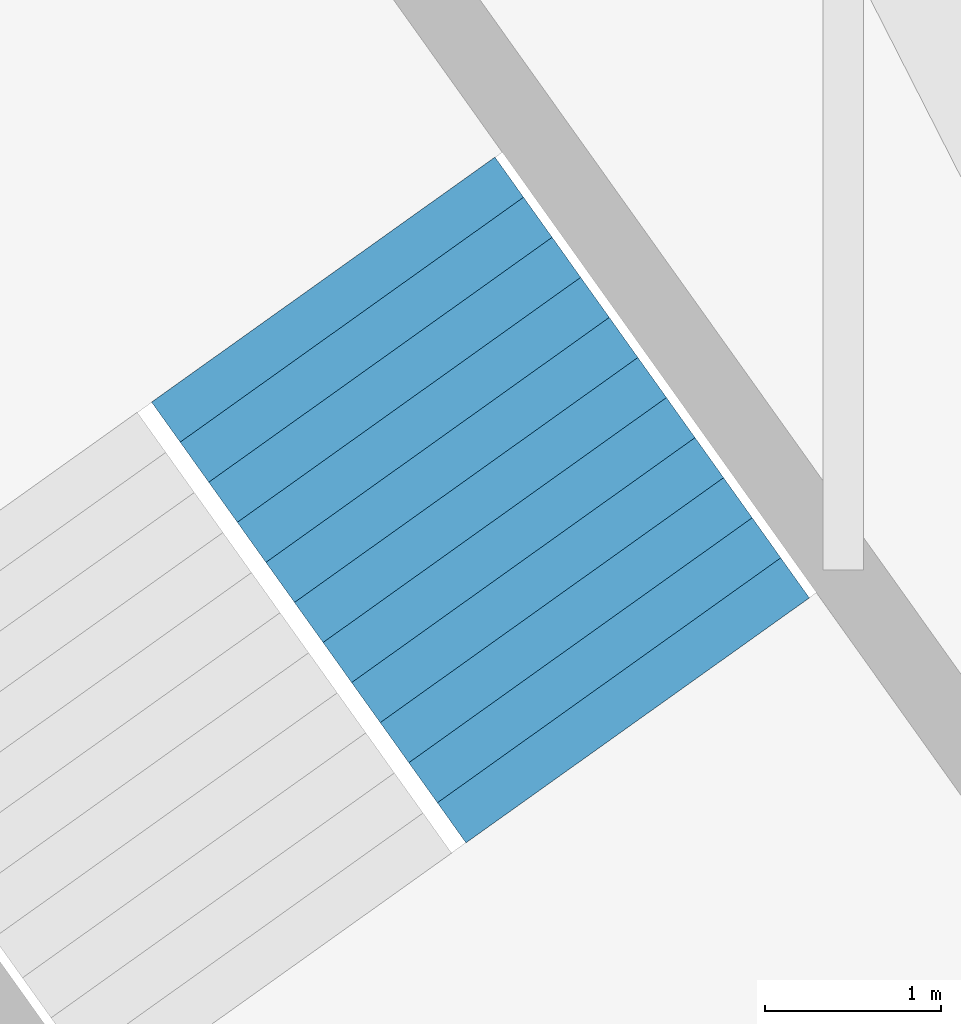
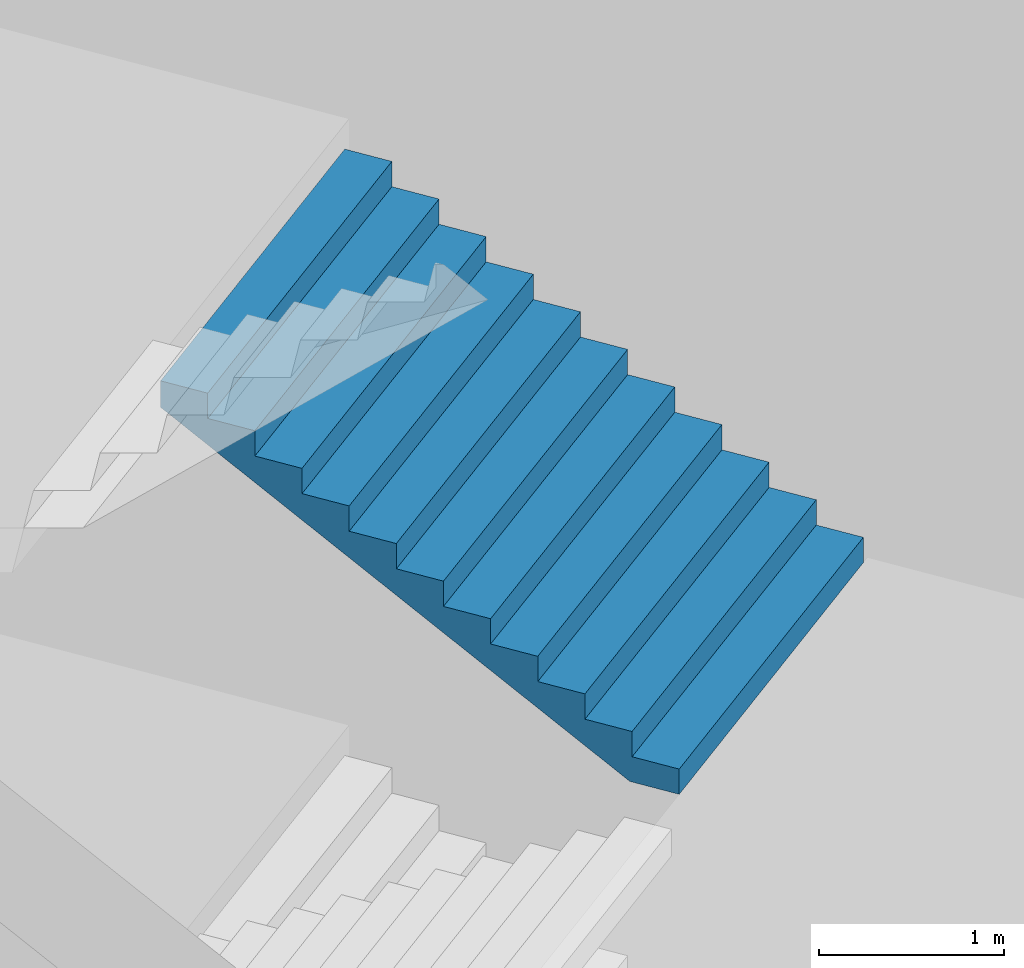
# One storey, part 45 of 74: 1 stair flight, 1 element without a shape of its own.
"""IFC4 building model written with IfcOpenShell, lengths in metres."""

from ifc_helpers import new_model, si_unit, direction, frame, origin, place, context, subcontext, project, spatial, triangles, material, type_object, element, aggregate, save


model = new_model("IFC4")

# Units and contexts
model_context = context("Model", 3, precision=1e-05, world=origin(), true_north=direction((0.0, 1.0)))
body_context = subcontext(model_context, "Body", "Model", "MODEL_VIEW")
ifc_project = project(units=[si_unit("LENGTHUNIT", "METRE"), si_unit("AREAUNIT", "SQUARE_METRE"), si_unit("VOLUMEUNIT", "CUBIC_METRE"), si_unit("PLANEANGLEUNIT", "RADIAN"), si_unit("MASSUNIT", "GRAM", prefix="KILO")], contexts=[model_context])

# Site, building, storey
site_placement = place(None, origin())
site = spatial("IfcSite", under=ifc_project, at=site_placement, CompositionType="ELEMENT")
building_placement = place(site_placement, origin())
building = spatial("IfcBuilding", under=site, at=building_placement, Name="Lantaw Convention Tower", CompositionType="ELEMENT")
storey_placement = place(building_placement, frame((0.0, 0.0, 6.5)))
storey = spatial("IfcBuildingStorey", under=building, at=storey_placement, Name="L01", CompositionType="ELEMENT", Elevation=6.5)

# Stair, stair flight
ifc_material = material(Name="Concrete C35/45", Category="concrete")
stair_type = type_object("IfcStairType", Name="Exit stair 2400 riser 166.67 in 4 flights", PredefinedType="HALF_TURN_STAIR", material=ifc_material)
stair_placement = place(storey_placement, origin())
stair = element("IfcStair", 1, at=stair_placement, inside=storey, type_object=stair_type, Name="Podium exit stair P6 L01", PredefinedType="HALF_TURN_STAIR")
stair_flight_type = type_object("IfcStairFlightType", Name="Stair flight 2400 riser 166.67", PredefinedType="STRAIGHT", material=ifc_material)
stair_flight_placement = place(storey_placement, frame((-16.97021484375, 25.944091796875, 4.0), z_axis=(0.0, 0.0, 1.0), x_axis=(-0.580702955711, 0.814115518356, 0.0)))
stair_flight = element("IfcStairFlight", 2, at=stair_flight_placement, type_object=stair_flight_type, Name="P6 flight 3", NumberOfRisers=12, NumberOfTreads=11, PredefinedType="STRAIGHT", RiserHeight=0.166666667, TreadLength=0.28, context=body_context, shape_type="Tessellation", body=[
    triangles([(0.0, 1.199951171875, 0.0), (0.0, 1.199951171875, 0.166666667), (0.28, 1.199951171875, 0.0), (0.28, 1.199951171875, 0.166666667), (0.28, 1.199951171875, 0.333333334), (0.29307345806906726, 1.199951171875, 0.0), (0.29307345806906726, 1.199951171875, 0.333333334), (0.56, 1.199951171875, 0.15888484670522965), (0.56, 1.199951171875, 0.333333334), (0.56, 1.199951171875, 0.500000001), (0.8400000000000001, 1.199951171875, 0.3255515137052296), (0.8400000000000001, 1.199951171875, 0.500000001), (0.8400000000000001, 1.199951171875, 0.666666668), (1.12, 1.199951171875, 0.4922181807052296), (1.12, 1.199951171875, 0.666666668), (1.12, 1.199951171875, 0.833333335), (1.4000000000000001, 1.199951171875, 0.6588848477052296), (1.4000000000000001, 1.199951171875, 0.833333335), (1.4000000000000001, 1.199951171875, 1.000000002), (1.6800000000000002, 1.199951171875, 0.8255515147052296), (1.6800000000000002, 1.199951171875, 1.000000002), (1.6800000000000002, 1.199951171875, 1.166666669), (1.9600000000000002, 1.199951171875, 0.9922181817052296), (1.9600000000000002, 1.199951171875, 1.166666669), (1.9600000000000002, 1.199951171875, 1.333333336), (2.24, 1.199951171875, 1.1588848487052295), (2.24, 1.199951171875, 1.333333336), (2.24, 1.199951171875, 1.5000000029999998), (2.5200000000000005, 1.199951171875, 1.3255515157052296), (2.5200000000000005, 1.199951171875, 1.5000000029999998), (2.5200000000000005, 1.199951171875, 1.66666667), (2.8000000000000003, 1.199951171875, 1.4922181827052294), (2.8000000000000003, 1.199951171875, 1.66666667), (2.8000000000000003, 1.199951171875, 1.833333337), (3.08, 1.199951171875, 1.6588848497052293), (3.08, 1.199951171875, 1.833333337), (0.0, -1.199951171875, 0.0), (0.0, -1.199951171875, 0.166666667), (0.28, -1.199951171875, 0.0), (0.28, -1.199951171875, 0.166666667), (0.28, -1.199951171875, 0.333333334), (0.29307345806906726, -1.199951171875, 0.0), (0.29307345806906726, -1.199951171875, 0.333333334), (0.56, -1.199951171875, 0.15888484670522965), (0.56, -1.199951171875, 0.333333334), (0.56, -1.199951171875, 0.500000001), (0.8400000000000001, -1.199951171875, 0.3255515137052296), (0.8400000000000001, -1.199951171875, 0.500000001), (0.8400000000000001, -1.199951171875, 0.666666668), (1.12, -1.199951171875, 0.4922181807052296), (1.12, -1.199951171875, 0.666666668), (1.12, -1.199951171875, 0.833333335), (1.4000000000000001, -1.199951171875, 0.6588848477052296), (1.4000000000000001, -1.199951171875, 0.833333335), (1.4000000000000001, -1.199951171875, 1.000000002), (1.6800000000000002, -1.199951171875, 0.8255515147052296), (1.6800000000000002, -1.199951171875, 1.000000002), (1.6800000000000002, -1.199951171875, 1.166666669), (1.9600000000000002, -1.199951171875, 0.9922181817052296), (1.9600000000000002, -1.199951171875, 1.166666669), (1.9600000000000002, -1.199951171875, 1.333333336), (2.24, -1.199951171875, 1.1588848487052295), (2.24, -1.199951171875, 1.333333336), (2.24, -1.199951171875, 1.5000000029999998), (2.5200000000000005, -1.199951171875, 1.3255515157052296), (2.5200000000000005, -1.199951171875, 1.5000000029999998), (2.5200000000000005, -1.199951171875, 1.66666667), (2.8000000000000003, -1.199951171875, 1.4922181827052294), (2.8000000000000003, -1.199951171875, 1.66666667), (2.8000000000000003, -1.199951171875, 1.833333337), (3.08, -1.199951171875, 1.6588848497052293), (3.08, -1.199951171875, 1.833333337), (0.0, 0.239990234375, 0.166666667), (0.0, 0.239990234375, 0.0), (0.0, 0.1199951171875, 0.166666667), (0.0, 0.1199951171875, 0.0), (0.0, 0.0, 0.166666667), (0.0, 0.0, 0.0), (0.0, -0.1199951171875, 0.166666667), (0.0, -0.1199951171875, 0.0), (0.0, -0.239990234375, 0.166666667), (0.0, -0.239990234375, 0.0), (0.28, 0.239990234375, 0.333333334), (0.28, 0.239990234375, 0.166666667), (0.28, 0.1199951171875, 0.333333334), (0.28, 0.1199951171875, 0.166666667), (0.28, 0.0, 0.333333334), (0.28, 0.0, 0.166666667), (0.28, -0.1199951171875, 0.333333334), (0.28, -0.1199951171875, 0.166666667), (0.28, -0.239990234375, 0.333333334), (0.28, -0.239990234375, 0.166666667), (0.56, 0.239990234375, 0.500000001), (0.56, 0.239990234375, 0.333333334), (0.56, 0.1199951171875, 0.500000001), (0.56, 0.1199951171875, 0.333333334), (0.56, 0.0, 0.500000001), (0.56, 0.0, 0.333333334), (0.56, -0.1199951171875, 0.500000001), (0.56, -0.1199951171875, 0.333333334), (0.56, -0.239990234375, 0.500000001), (0.56, -0.239990234375, 0.333333334), (0.8400000000000001, 0.239990234375, 0.666666668), (0.8400000000000001, 0.239990234375, 0.500000001), (0.8400000000000001, 0.1199951171875, 0.666666668), (0.8400000000000001, 0.1199951171875, 0.500000001), (0.8400000000000001, 0.0, 0.666666668), (0.8400000000000001, 0.0, 0.500000001), (0.8400000000000001, -0.1199951171875, 0.666666668), (0.8400000000000001, -0.1199951171875, 0.500000001), (0.8400000000000001, -0.239990234375, 0.666666668), (0.8400000000000001, -0.239990234375, 0.500000001), (1.12, 0.239990234375, 0.833333335), (1.12, 0.239990234375, 0.666666668), (1.12, 0.1199951171875, 0.833333335), (1.12, 0.1199951171875, 0.666666668), (1.12, 0.0, 0.833333335), (1.12, 0.0, 0.666666668), (1.12, -0.1199951171875, 0.833333335), (1.12, -0.1199951171875, 0.666666668), (1.12, -0.239990234375, 0.833333335), (1.12, -0.239990234375, 0.666666668), (1.4000000000000001, 0.239990234375, 1.000000002), (1.4000000000000001, 0.239990234375, 0.833333335), (1.4000000000000001, 0.1199951171875, 1.000000002), (1.4000000000000001, 0.1199951171875, 0.833333335), (1.4000000000000001, 0.0, 1.000000002), (1.4000000000000001, 0.0, 0.833333335), (1.4000000000000001, -0.1199951171875, 1.000000002), (1.4000000000000001, -0.1199951171875, 0.833333335), (1.4000000000000001, -0.239990234375, 1.000000002), (1.4000000000000001, -0.239990234375, 0.833333335), (1.6800000000000002, 0.239990234375, 1.166666669), (1.6800000000000002, 0.239990234375, 1.000000002), (1.6800000000000002, 0.1199951171875, 1.166666669), (1.6800000000000002, 0.1199951171875, 1.000000002), (1.6800000000000002, 0.0, 1.166666669), (1.6800000000000002, 0.0, 1.000000002), (1.6800000000000002, -0.1199951171875, 1.166666669), (1.6800000000000002, -0.1199951171875, 1.000000002), (1.6800000000000002, -0.239990234375, 1.166666669), (1.6800000000000002, -0.239990234375, 1.000000002), (1.9600000000000002, 0.239990234375, 1.333333336), (1.9600000000000002, 0.239990234375, 1.166666669), (1.9600000000000002, 0.1199951171875, 1.333333336), (1.9600000000000002, 0.1199951171875, 1.166666669), (1.9600000000000002, 0.0, 1.333333336), (1.9600000000000002, 0.0, 1.166666669), (1.9600000000000002, -0.1199951171875, 1.333333336), (1.9600000000000002, -0.1199951171875, 1.166666669), (1.9600000000000002, -0.239990234375, 1.333333336), (1.9600000000000002, -0.239990234375, 1.166666669), (2.24, 0.239990234375, 1.5000000029999998), (2.24, 0.239990234375, 1.333333336), (2.24, 0.1199951171875, 1.5000000029999998), (2.24, 0.1199951171875, 1.333333336), (2.24, 0.0, 1.5000000029999998), (2.24, 0.0, 1.333333336), (2.24, -0.1199951171875, 1.5000000029999998), (2.24, -0.1199951171875, 1.333333336), (2.24, -0.239990234375, 1.5000000029999998), (2.24, -0.239990234375, 1.333333336), (2.5200000000000005, 0.239990234375, 1.66666667), (2.5200000000000005, 0.239990234375, 1.5000000029999998), (2.5200000000000005, 0.1199951171875, 1.66666667), (2.5200000000000005, 0.1199951171875, 1.5000000029999998), (2.5200000000000005, 0.0, 1.66666667), (2.5200000000000005, 0.0, 1.5000000029999998), (2.5200000000000005, -0.1199951171875, 1.66666667), (2.5200000000000005, -0.1199951171875, 1.5000000029999998), (2.5200000000000005, -0.239990234375, 1.66666667), (2.5200000000000005, -0.239990234375, 1.5000000029999998), (2.8000000000000003, 0.239990234375, 1.833333337), (2.8000000000000003, 0.239990234375, 1.66666667), (2.8000000000000003, 0.1199951171875, 1.833333337), (2.8000000000000003, 0.1199951171875, 1.66666667), (2.8000000000000003, 0.0, 1.833333337), (2.8000000000000003, 0.0, 1.66666667), (2.8000000000000003, -0.1199951171875, 1.833333337), (2.8000000000000003, -0.1199951171875, 1.66666667), (2.8000000000000003, -0.239990234375, 1.833333337), (2.8000000000000003, -0.239990234375, 1.66666667), (0.29307345806906726, 0.239990234375, 0.333333334), (0.29307345806906726, 0.1199951171875, 0.333333334), (0.29307345806906726, 0.0, 0.333333334), (0.29307345806906726, -0.1199951171875, 0.333333334), (0.29307345806906726, -0.239990234375, 0.333333334), (3.08, 0.239990234375, 1.833333337), (3.08, 0.1199951171875, 1.833333337), (3.08, 0.0, 1.833333337), (3.08, -0.1199951171875, 1.833333337), (3.08, -0.239990234375, 1.833333337), (3.08, 0.239990234375, 1.6588848497052293), (3.08, 0.1199951171875, 1.6588848497052293), (3.08, 0.0, 1.6588848497052293), (3.08, -0.1199951171875, 1.6588848497052293), (3.08, -0.239990234375, 1.6588848497052293), (2.8000000000000003, 0.239990234375, 1.4922181827052294), (2.8000000000000003, 0.1199951171875, 1.4922181827052294), (2.8000000000000003, 0.0, 1.4922181827052294), (2.8000000000000003, -0.1199951171875, 1.4922181827052294), (2.8000000000000003, -0.239990234375, 1.4922181827052294), (2.5200000000000005, 0.239990234375, 1.3255515157052296), (2.5200000000000005, 0.1199951171875, 1.3255515157052296), (2.5200000000000005, 0.0, 1.3255515157052296), (2.5200000000000005, -0.1199951171875, 1.3255515157052296), (2.5200000000000005, -0.239990234375, 1.3255515157052296), (2.24, 0.239990234375, 1.1588848487052295), (2.24, 0.1199951171875, 1.1588848487052295), (2.24, 0.0, 1.1588848487052295), (2.24, -0.1199951171875, 1.1588848487052295), (2.24, -0.239990234375, 1.1588848487052295), (1.9600000000000002, 0.239990234375, 0.9922181817052296), (1.9600000000000002, 0.1199951171875, 0.9922181817052296), (1.9600000000000002, 0.0, 0.9922181817052296), (1.9600000000000002, -0.1199951171875, 0.9922181817052296), (1.9600000000000002, -0.239990234375, 0.9922181817052296), (1.6800000000000002, 0.239990234375, 0.8255515147052296), (1.6800000000000002, 0.1199951171875, 0.8255515147052296), (1.6800000000000002, 0.0, 0.8255515147052296), (1.6800000000000002, -0.1199951171875, 0.8255515147052296), (1.6800000000000002, -0.239990234375, 0.8255515147052296), (1.4000000000000001, 0.239990234375, 0.6588848477052296), (1.4000000000000001, 0.1199951171875, 0.6588848477052296), (1.4000000000000001, 0.0, 0.6588848477052296), (1.4000000000000001, -0.1199951171875, 0.6588848477052296), (1.4000000000000001, -0.239990234375, 0.6588848477052296), (1.12, 0.239990234375, 0.4922181807052296), (1.12, 0.1199951171875, 0.4922181807052296), (1.12, 0.0, 0.4922181807052296), (1.12, -0.1199951171875, 0.4922181807052296), (1.12, -0.239990234375, 0.4922181807052296), (0.8400000000000001, 0.239990234375, 0.3255515137052296), (0.8400000000000001, 0.1199951171875, 0.3255515137052296), (0.8400000000000001, 0.0, 0.3255515137052296), (0.8400000000000001, -0.1199951171875, 0.3255515137052296), (0.8400000000000001, -0.239990234375, 0.3255515137052296), (0.56, 0.239990234375, 0.15888484670522965), (0.56, 0.1199951171875, 0.15888484670522965), (0.56, 0.0, 0.15888484670522965), (0.56, -0.1199951171875, 0.15888484670522965), (0.56, -0.239990234375, 0.15888484670522965), (0.29307345806906726, 0.239990234375, 0.0), (0.29307345806906726, 0.1199951171875, 0.0), (0.29307345806906726, 0.0, 0.0), (0.29307345806906726, -0.1199951171875, 0.0), (0.29307345806906726, -0.239990234375, 0.0), (0.28, 0.239990234375, 0.0), (0.28, 0.1199951171875, 0.0), (0.28, 0.0, 0.0), (0.28, -0.1199951171875, 0.0), (0.28, -0.239990234375, 0.0)], [[1, 4, 3], [1, 2, 4], [3, 4, 6], [4, 7, 6], [4, 5, 7], [6, 9, 8], [6, 7, 9], [8, 9, 11], [9, 12, 11], [9, 10, 12], [11, 12, 14], [12, 15, 14], [12, 13, 15], [14, 15, 17], [15, 18, 17], [15, 16, 18], [17, 18, 20], [18, 21, 20], [18, 19, 21], [20, 21, 23], [21, 24, 23], [21, 22, 24], [23, 24, 26], [24, 27, 26], [24, 25, 27], [26, 27, 29], [27, 30, 29], [27, 28, 30], [29, 30, 32], [30, 33, 32], [30, 31, 33], [32, 33, 35], [33, 36, 35], [33, 34, 36], [37, 39, 40], [37, 40, 38], [39, 42, 40], [40, 42, 43], [40, 43, 41], [42, 44, 45], [42, 45, 43], [44, 47, 45], [45, 47, 48], [45, 48, 46], [47, 50, 48], [48, 50, 51], [48, 51, 49], [50, 53, 51], [51, 53, 54], [51, 54, 52], [53, 56, 54], [54, 56, 57], [54, 57, 55], [56, 59, 57], [57, 59, 60], [57, 60, 58], [59, 62, 60], [60, 62, 63], [60, 63, 61], [62, 65, 63], [63, 65, 66], [63, 66, 64], [65, 68, 66], [66, 68, 69], [66, 69, 67], [68, 71, 69], [69, 71, 72], [69, 72, 70], [1, 73, 2], [1, 74, 73], [74, 75, 73], [74, 76, 75], [76, 77, 75], [76, 78, 77], [78, 79, 77], [78, 80, 79], [80, 81, 79], [80, 82, 81], [82, 38, 81], [82, 37, 38], [4, 83, 5], [4, 84, 83], [84, 85, 83], [84, 86, 85], [86, 87, 85], [86, 88, 87], [88, 89, 87], [88, 90, 89], [90, 91, 89], [90, 92, 91], [92, 41, 91], [92, 40, 41], [9, 93, 10], [9, 94, 93], [94, 95, 93], [94, 96, 95], [96, 97, 95], [96, 98, 97], [98, 99, 97], [98, 100, 99], [100, 101, 99], [100, 102, 101], [102, 46, 101], [102, 45, 46], [12, 103, 13], [12, 104, 103], [104, 105, 103], [104, 106, 105], [106, 107, 105], [106, 108, 107], [108, 109, 107], [108, 110, 109], [110, 111, 109], [110, 112, 111], [112, 49, 111], [112, 48, 49], [15, 113, 16], [15, 114, 113], [114, 115, 113], [114, 116, 115], [116, 117, 115], [116, 118, 117], [118, 119, 117], [118, 120, 119], [120, 121, 119], [120, 122, 121], [122, 52, 121], [122, 51, 52], [18, 123, 19], [18, 124, 123], [124, 125, 123], [124, 126, 125], [126, 127, 125], [126, 128, 127], [128, 129, 127], [128, 130, 129], [130, 131, 129], [130, 132, 131], [132, 55, 131], [132, 54, 55], [21, 133, 22], [21, 134, 133], [134, 135, 133], [134, 136, 135], [136, 137, 135], [136, 138, 137], [138, 139, 137], [138, 140, 139], [140, 141, 139], [140, 142, 141], [142, 58, 141], [142, 57, 58], [24, 143, 25], [24, 144, 143], [144, 145, 143], [144, 146, 145], [146, 147, 145], [146, 148, 147], [148, 149, 147], [148, 150, 149], [150, 151, 149], [150, 152, 151], [152, 61, 151], [152, 60, 61], [27, 153, 28], [27, 154, 153], [154, 155, 153], [154, 156, 155], [156, 157, 155], [156, 158, 157], [158, 159, 157], [158, 160, 159], [160, 161, 159], [160, 162, 161], [162, 64, 161], [162, 63, 64], [30, 163, 31], [30, 164, 163], [164, 165, 163], [164, 166, 165], [166, 167, 165], [166, 168, 167], [168, 169, 167], [168, 170, 169], [170, 171, 169], [170, 172, 171], [172, 67, 171], [172, 66, 67], [33, 173, 34], [33, 174, 173], [174, 175, 173], [174, 176, 175], [176, 177, 175], [176, 178, 177], [178, 179, 177], [178, 180, 179], [180, 181, 179], [180, 182, 181], [182, 70, 181], [182, 69, 70], [2, 84, 4], [2, 73, 84], [73, 86, 84], [73, 75, 86], [75, 88, 86], [75, 77, 88], [77, 90, 88], [77, 79, 90], [79, 92, 90], [79, 81, 92], [81, 40, 92], [81, 38, 40], [5, 183, 7], [5, 83, 183], [83, 184, 183], [83, 85, 184], [85, 185, 184], [85, 87, 185], [87, 186, 185], [87, 89, 186], [89, 187, 186], [89, 91, 187], [91, 43, 187], [91, 41, 43], [7, 94, 9], [7, 183, 94], [183, 96, 94], [183, 184, 96], [184, 98, 96], [184, 185, 98], [185, 100, 98], [185, 186, 100], [186, 102, 100], [186, 187, 102], [187, 45, 102], [187, 43, 45], [10, 104, 12], [10, 93, 104], [93, 106, 104], [93, 95, 106], [95, 108, 106], [95, 97, 108], [97, 110, 108], [97, 99, 110], [99, 112, 110], [99, 101, 112], [101, 48, 112], [101, 46, 48], [13, 114, 15], [13, 103, 114], [103, 116, 114], [103, 105, 116], [105, 118, 116], [105, 107, 118], [107, 120, 118], [107, 109, 120], [109, 122, 120], [109, 111, 122], [111, 51, 122], [111, 49, 51], [16, 124, 18], [16, 113, 124], [113, 126, 124], [113, 115, 126], [115, 128, 126], [115, 117, 128], [117, 130, 128], [117, 119, 130], [119, 132, 130], [119, 121, 132], [121, 54, 132], [121, 52, 54], [19, 134, 21], [19, 123, 134], [123, 136, 134], [123, 125, 136], [125, 138, 136], [125, 127, 138], [127, 140, 138], [127, 129, 140], [129, 142, 140], [129, 131, 142], [131, 57, 142], [131, 55, 57], [22, 144, 24], [22, 133, 144], [133, 146, 144], [133, 135, 146], [135, 148, 146], [135, 137, 148], [137, 150, 148], [137, 139, 150], [139, 152, 150], [139, 141, 152], [141, 60, 152], [141, 58, 60], [25, 154, 27], [25, 143, 154], [143, 156, 154], [143, 145, 156], [145, 158, 156], [145, 147, 158], [147, 160, 158], [147, 149, 160], [149, 162, 160], [149, 151, 162], [151, 63, 162], [151, 61, 63], [28, 164, 30], [28, 153, 164], [153, 166, 164], [153, 155, 166], [155, 168, 166], [155, 157, 168], [157, 170, 168], [157, 159, 170], [159, 172, 170], [159, 161, 172], [161, 66, 172], [161, 64, 66], [31, 174, 33], [31, 163, 174], [163, 176, 174], [163, 165, 176], [165, 178, 176], [165, 167, 178], [167, 180, 178], [167, 169, 180], [169, 182, 180], [169, 171, 182], [171, 69, 182], [171, 67, 69], [34, 188, 36], [34, 173, 188], [173, 189, 188], [173, 175, 189], [175, 190, 189], [175, 177, 190], [177, 191, 190], [177, 179, 191], [179, 192, 191], [179, 181, 192], [181, 72, 192], [181, 70, 72], [36, 193, 35], [36, 188, 193], [188, 194, 193], [188, 189, 194], [189, 195, 194], [189, 190, 195], [190, 196, 195], [190, 191, 196], [191, 197, 196], [191, 192, 197], [192, 71, 197], [192, 72, 71], [35, 198, 32], [35, 193, 198], [193, 199, 198], [193, 194, 199], [194, 200, 199], [194, 195, 200], [195, 201, 200], [195, 196, 201], [196, 202, 201], [196, 197, 202], [197, 68, 202], [197, 71, 68], [32, 203, 29], [32, 198, 203], [198, 204, 203], [198, 199, 204], [199, 205, 204], [199, 200, 205], [200, 206, 205], [200, 201, 206], [201, 207, 206], [201, 202, 207], [202, 65, 207], [202, 68, 65], [29, 208, 26], [29, 203, 208], [203, 209, 208], [203, 204, 209], [204, 210, 209], [204, 205, 210], [205, 211, 210], [205, 206, 211], [206, 212, 211], [206, 207, 212], [207, 62, 212], [207, 65, 62], [26, 213, 23], [26, 208, 213], [208, 214, 213], [208, 209, 214], [209, 215, 214], [209, 210, 215], [210, 216, 215], [210, 211, 216], [211, 217, 216], [211, 212, 217], [212, 59, 217], [212, 62, 59], [23, 218, 20], [23, 213, 218], [213, 219, 218], [213, 214, 219], [214, 220, 219], [214, 215, 220], [215, 221, 220], [215, 216, 221], [216, 222, 221], [216, 217, 222], [217, 56, 222], [217, 59, 56], [20, 223, 17], [20, 218, 223], [218, 224, 223], [218, 219, 224], [219, 225, 224], [219, 220, 225], [220, 226, 225], [220, 221, 226], [221, 227, 226], [221, 222, 227], [222, 53, 227], [222, 56, 53], [17, 228, 14], [17, 223, 228], [223, 229, 228], [223, 224, 229], [224, 230, 229], [224, 225, 230], [225, 231, 230], [225, 226, 231], [226, 232, 231], [226, 227, 232], [227, 50, 232], [227, 53, 50], [14, 233, 11], [14, 228, 233], [228, 234, 233], [228, 229, 234], [229, 235, 234], [229, 230, 235], [230, 236, 235], [230, 231, 236], [231, 237, 236], [231, 232, 237], [232, 47, 237], [232, 50, 47], [11, 238, 8], [11, 233, 238], [233, 239, 238], [233, 234, 239], [234, 240, 239], [234, 235, 240], [235, 241, 240], [235, 236, 241], [236, 242, 241], [236, 237, 242], [237, 44, 242], [237, 47, 44], [8, 243, 6], [8, 238, 243], [238, 244, 243], [238, 239, 244], [239, 245, 244], [239, 240, 245], [240, 246, 245], [240, 241, 246], [241, 247, 246], [241, 242, 247], [242, 42, 247], [242, 44, 42], [6, 248, 3], [6, 243, 248], [243, 249, 248], [243, 244, 249], [244, 250, 249], [244, 245, 250], [245, 251, 250], [245, 246, 251], [246, 252, 251], [246, 247, 252], [247, 39, 252], [247, 42, 39], [3, 74, 1], [3, 248, 74], [248, 76, 74], [248, 249, 76], [249, 78, 76], [249, 250, 78], [250, 80, 78], [250, 251, 80], [251, 82, 80], [251, 252, 82], [252, 37, 82], [252, 39, 37]], closed=True),
])
aggregate(stair, [stair_flight])

save(model, "model.ifc")
